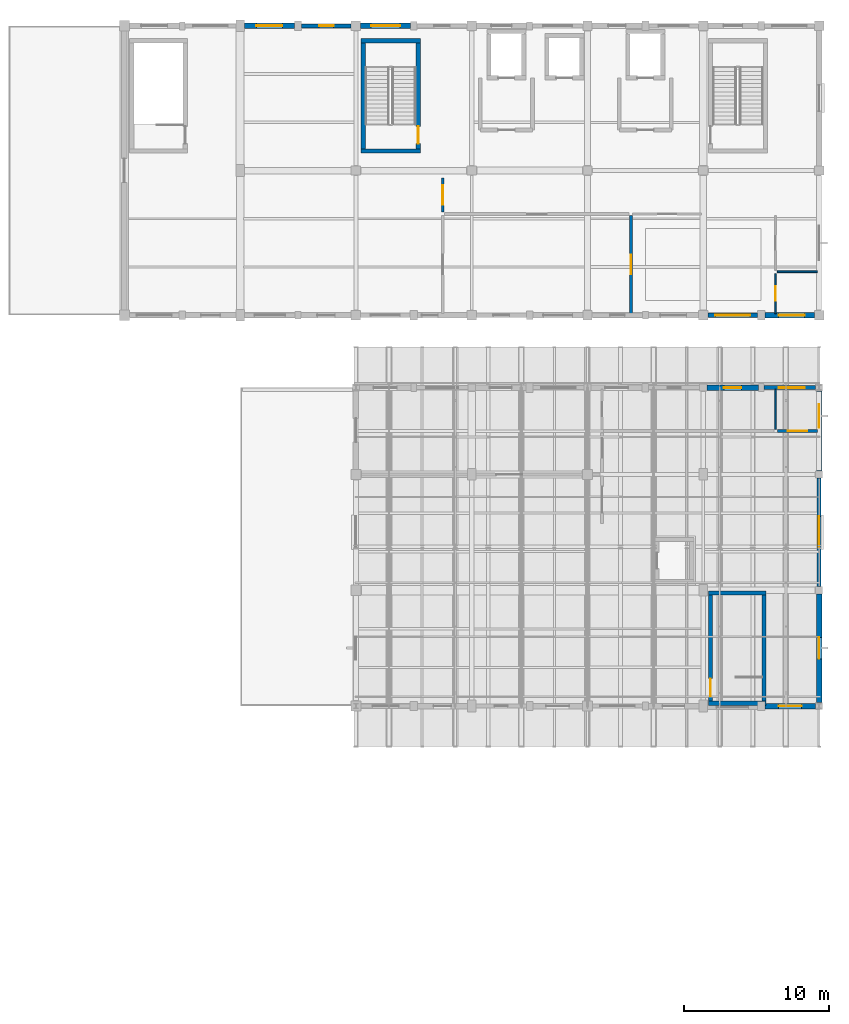
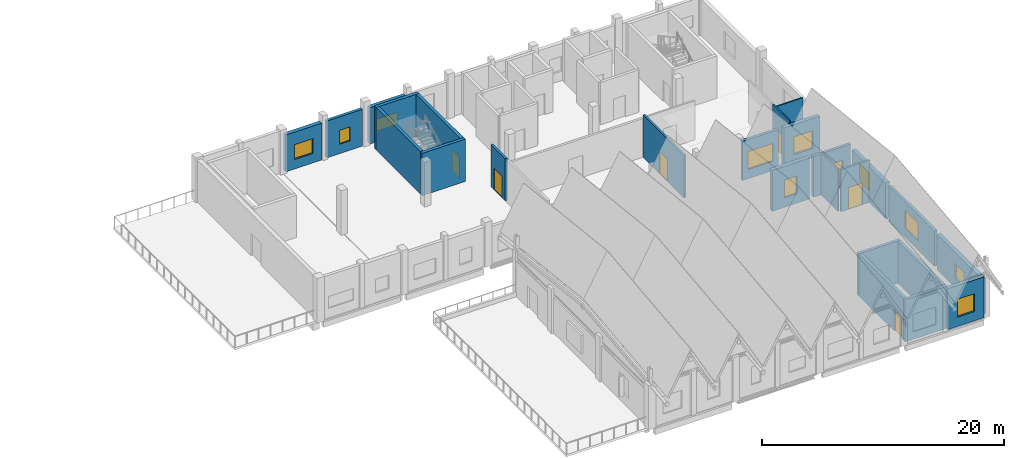
# One storey, part 34 of 48: 25 walls, 11 windows, 6 doors, 17 openings.
"""IFC4 building model written with IfcOpenShell, lengths in metres."""

import ifcopenshell
import ifcopenshell.guid

model = None  # the IFC model being written
_history = None  # IfcOwnerHistory: only IFC2X3 demands one
_inside = {}  # id of a spatial element -> (the spatial element, [elements in it])
_under = {}  # id of a project, library or spatial element -> (it, [spatial elements below it])
_declared = {}  # id of a project -> (the project, [libraries it declares])
_typed = {}  # id of a type object -> (the type object, [elements of that type])
_made_of = {}  # id of a material, layer set ... -> (it, [elements and type objects made of it])


def new_model(schema):
    """Start an empty IFC model of exactly this schema.

    Asked for "IFC4X3", IfcOpenShell would pick the latest addendum, in which some entities
    have other attributes; the version numbers below select the first issue.
    IFC2X3 requires an IfcOwnerHistory on every rooted entity: one is made here for all.
    """
    global model, _history
    if schema == "IFC4X3":
        model = ifcopenshell.file(schema_version=(4, 3, 0, 0))
    else:
        model = ifcopenshell.file(schema=schema)
    _inside.clear()
    _under.clear()
    _declared.clear()
    _typed.clear()
    _made_of.clear()
    _history = None
    if model.schema == "IFC2X3":
        org = make("IfcOrganization", Name="unknown")
        user = make(
            "IfcPersonAndOrganization",
            ThePerson=make("IfcPerson", FamilyName="unknown"),
            TheOrganization=org,
        )
        app = make(
            "IfcApplication",
            ApplicationDeveloper=org,
            Version="unknown",
            ApplicationFullName="unknown",
            ApplicationIdentifier="unknown",
        )
        _history = make(
            "IfcOwnerHistory",
            OwningUser=user,
            OwningApplication=app,
            ChangeAction="ADDED",
            CreationDate=0,
        )
    return model


def make(cls, **values):
    """One entity of the class cls with the attributes given. An attribute that is None is left unset."""
    return model.create_entity(
        cls, **{name: value for name, value in values.items() if value is not None}
    )


def rooted(cls, **values):
    """An entity with a GlobalId (a new one), such as an element, a storey or a relation."""
    return make(cls, GlobalId=ifcopenshell.guid.new(), OwnerHistory=_history, **values)


def si_unit(unit_type, name, prefix=None):
    """IfcSIUnit, for example si_unit("LENGTHUNIT", "METRE", prefix="MILLI")."""
    return make("IfcSIUnit", UnitType=unit_type, Prefix=prefix, Name=name)


def assignment(units):
    """IfcUnitAssignment: the units of a project."""
    return None if units is None else make("IfcUnitAssignment", Units=units)


def point(xyz):
    """IfcCartesianPoint."""
    return None if xyz is None else make("IfcCartesianPoint", Coordinates=xyz)


def direction(xyz):
    """IfcDirection."""
    return None if xyz is None else make("IfcDirection", DirectionRatios=xyz)


def frame(location, z_axis=None, x_axis=None):
    """IfcAxis2Placement3D, a coordinate frame: its origin and axes. An axis left out is left unset."""
    return make(
        "IfcAxis2Placement3D",
        Location=point(location),
        Axis=direction(z_axis),
        RefDirection=direction(x_axis),
    )


def frame_2d(location, x_axis=None):
    """IfcAxis2Placement2D, a coordinate frame in the plane: its origin and x axis."""
    return make(
        "IfcAxis2Placement2D", Location=point(location), RefDirection=direction(x_axis)
    )


def origin():
    """The frame at (0, 0, 0) with its axes left unset."""
    return frame((0.0, 0.0, 0.0))


def place(relative_to, where):
    """IfcLocalPlacement: puts the frame where relative to a parent placement (None: the world)."""
    return make(
        "IfcLocalPlacement", PlacementRelTo=relative_to, RelativePlacement=where
    )


def context(
    kind, dimensions, precision=None, world=None, true_north=None, identifier=None
):
    """IfcGeometricRepresentationContext, for example the 3D "Model" context."""
    return make(
        "IfcGeometricRepresentationContext",
        ContextIdentifier=identifier,
        ContextType=kind,
        CoordinateSpaceDimension=dimensions,
        Precision=precision,
        WorldCoordinateSystem=world,
        TrueNorth=true_north,
    )


def subcontext(parent, identifier, kind, view, scale=None):
    """IfcGeometricRepresentationSubContext, for example "Body" below "Model"."""
    return make(
        "IfcGeometricRepresentationSubContext",
        ContextIdentifier=identifier,
        ContextType=kind,
        ParentContext=parent,
        TargetScale=scale,
        TargetView=view,
    )


def project(units=None, contexts=None):
    """IfcProject with its units and contexts."""
    return rooted(
        "IfcProject",
        Name="project",
        RepresentationContexts=contexts,
        UnitsInContext=assignment(units),
    )


def spatial(cls, under=None, at=None, **own):
    """A site, building, storey or space (cls), placed at a placement, below another one or the project."""
    s = rooted(cls, ObjectPlacement=at, **own)
    if under is not None:
        _under.setdefault(under.id(), (under, []))[1].append(s)
    return s


def profile(cls, at=None, kind="AREA", **sizes):
    """A parametric profile (cls). Its sizes go by their IFC names, for example OverallWidth=200.0."""
    return make(cls, ProfileType=kind, Position=at, **sizes)


def rectangle(**sizes):
    """IfcRectangleProfileDef."""
    return profile("IfcRectangleProfileDef", **sizes)


def extrude(swept, where, along, depth):
    """IfcExtrudedAreaSolid: the profile swept, set in the frame where, extruded along a direction by depth."""
    return make(
        "IfcExtrudedAreaSolid",
        SweptArea=swept,
        Position=where,
        ExtrudedDirection=direction(along),
        Depth=depth,
    )


def shape(context_of_items, identifier, shape_type, items):
    """IfcShapeRepresentation: the items that make up one representation, for example the "Body"."""
    return make(
        "IfcShapeRepresentation",
        ContextOfItems=context_of_items,
        RepresentationIdentifier=identifier,
        RepresentationType=shape_type,
        Items=items,
    )


def material(Name=None, Category=None):
    """IfcMaterial."""
    return make("IfcMaterial", Name=Name, Category=Category)


def layer(
    of_material, thickness, ventilated=None, Name=None, Category=None, Priority=None
):
    """IfcMaterialLayer: one layer of a wall or slab, of a material (None: an air gap)."""
    return make(
        "IfcMaterialLayer",
        Material=of_material,
        LayerThickness=thickness,
        IsVentilated=ventilated,
        Name=Name,
        Category=Category,
        Priority=Priority,
    )


def layer_set(layers, Name=None):
    """IfcMaterialLayerSet."""
    return make("IfcMaterialLayerSet", MaterialLayers=layers, LayerSetName=Name)


def made_of(thing, what):
    """Note that an element or type object is made of a material, layer set ...; save() writes the relation."""
    if what is not None:
        _made_of.setdefault(what.id(), (what, []))[1].append(thing)
    return thing


def type_object(cls, material=None, **own):
    """A type object (cls), such as IfcWallType, which elements share."""
    return made_of(rooted(cls, **own), material)


def element(
    cls,
    number,
    at=None,
    inside=None,
    cuts=None,
    type_object=None,
    material=None,
    context=None,
    identifier="Body",
    shape_type=None,
    held_by="IfcProductDefinitionShape",
    body=None,
    shapes=None,
    **own,
):
    """One element of the class cls, such as IfcWall. Its Tag is "e" and its number.

    at: its placement. inside: the storey or other place that contains it. cuts: it is an
    opening in that element (IfcRelVoidsElement). A single representation is given by context,
    identifier, shape_type and body (its items); several are given by shapes. held_by: the class
    of the entity that holds the representations. save() writes the other relations.
    """
    e = rooted(cls, Tag="e%d" % number, ObjectPlacement=at, **own)
    if body is not None:
        shapes = [shape(context, identifier, shape_type, body)]
    if shapes is not None:
        e.Representation = make(held_by, Representations=shapes)
    if inside is not None:
        _inside.setdefault(inside.id(), (inside, []))[1].append(e)
    if cuts is not None:
        rooted(
            "IfcRelVoidsElement", RelatingBuildingElement=cuts, RelatedOpeningElement=e
        )
    if type_object is not None:
        _typed.setdefault(type_object.id(), (type_object, []))[1].append(e)
    return made_of(e, material)


def fill(opening, filler):
    """IfcRelFillsElement: the door or window that sits in an opening."""
    return rooted(
        "IfcRelFillsElement",
        RelatingOpeningElement=opening,
        RelatedBuildingElement=filler,
    )


def aggregate(whole, parts):
    """IfcRelAggregates: a whole, such as a stair, and the parts it consists of."""
    return rooted("IfcRelAggregates", RelatingObject=whole, RelatedObjects=parts)


def save(model, path):
    """Write the relations noted so far, then the file.

    IfcRelAggregates (storeys below a building ...), IfcRelContainedInSpatialStructure (elements
    in a storey), IfcRelDefinesByType, IfcRelAssociatesMaterial and IfcRelDeclares: one each for
    every whole, place, type object, material and project.
    """
    for whole, parts in _under.values():
        aggregate(whole, parts)
    for where, things in _inside.values():
        rooted(
            "IfcRelContainedInSpatialStructure",
            RelatedElements=things,
            RelatingStructure=where,
        )
    for kind, things in _typed.values():
        rooted("IfcRelDefinesByType", RelatedObjects=things, RelatingType=kind)
    for what, things in _made_of.values():
        rooted("IfcRelAssociatesMaterial", RelatedObjects=things, RelatingMaterial=what)
    for by, libraries in _declared.values():
        rooted("IfcRelDeclares", RelatingContext=by, RelatedDefinitions=libraries)
    model.write(path)


model = new_model("IFC4")

# Units and contexts
model_context = context("Model", 3, precision=1e-05, world=origin(), true_north=direction((0.0, 1.0)))
body_context = subcontext(model_context, "Body", "Model", "MODEL_VIEW")
ifc_project = project(units=[si_unit("LENGTHUNIT", "METRE"), si_unit("AREAUNIT", "SQUARE_METRE"), si_unit("VOLUMEUNIT", "CUBIC_METRE"), si_unit("PLANEANGLEUNIT", "RADIAN"), si_unit("MASSUNIT", "GRAM", prefix="KILO")], contexts=[model_context])

# Site, building, storey
site_placement = place(None, origin())
site = spatial("IfcSite", under=ifc_project, at=site_placement, CompositionType="ELEMENT")
building_placement = place(site_placement, origin())
building = spatial("IfcBuilding", under=site, at=building_placement, Name="Luwemba Playhouse", CompositionType="ELEMENT")
storey_placement = place(building_placement, frame((0.0, 0.0, 13.800048828125)))
storey = spatial("IfcBuildingStorey", under=building, at=storey_placement, Name="L03", CompositionType="ELEMENT", Elevation=13.800048828125)

# Wall, opening, window
ifc_material_1 = material(Name="Clay facing brick obra vista masonry", Category="masonry")
ifc_layer_1 = layer(ifc_material_1, 0.3798828125)
ifc_layer_set_1 = layer_set([ifc_layer_1], Name="Clay facing brick obra vista masonry")
wall_type_1 = type_object("IfcWallType", Name="WAL-BRK-380", PredefinedType="SOLIDWALL", material=ifc_layer_set_1)
wall_1_placement = place(storey_placement, frame((164.25, 90.0, 0.0), z_axis=(0.0, 0.0, 1.0), x_axis=(1.0, 0.0, 0.0)))
wall_1 = element("IfcWall", 1, at=wall_1_placement, inside=storey, type_object=wall_type_1, Name="L03 V4 exterior facade wall 0436", PredefinedType="SOLIDWALL", context=body_context, shape_type="SweptSolid", body=[
    extrude(rectangle(XDim=3.550048828125, YDim=0.3798828125, at=frame_2d((1.77490234375, 0.0))), origin(), (0.0, 0.0, 1.0), 4.125),
])
opening_1_placement = place(wall_1_placement, frame((1.175048828125, 0.0, 0.949951171875)))
opening_1 = element("IfcOpeningElement", 2, at=opening_1_placement, cuts=wall_1, Name="Opening WN-01", PredefinedType="OPENING", context=body_context, shape_type="SweptSolid", body=[
    extrude(rectangle(XDim=1.199951171875, YDim=1.800048828125, at=frame_2d((0.60009765625, 0.89990234375))), frame((0.0, 0.199951171875, 0.0), z_axis=(0.0, -1.0, 0.0), x_axis=(1.0, 0.0, 0.0)), (0.0, 0.0, 1.0), 0.39990234375),
])
ifc_material_2 = material(Name="Solar-control double glazing in aluminium frame", Category="aluminium")
window_type_1 = type_object("IfcWindowType", Name="WIN-WN-01", PartitioningType="SINGLE_PANEL", PredefinedType="WINDOW", material=ifc_material_2)
window_1_placement = place(opening_1_placement, origin())
window_1 = element("IfcWindow", 3, at=window_1_placement, inside=storey, type_object=window_type_1, Name="L03 V4 scheduled window 0377", OverallHeight=1.800048828125, OverallWidth=1.199951171875, PartitioningType="SINGLE_PANEL", PredefinedType="WINDOW", context=body_context, shape_type="SweptSolid", body=[
    extrude(rectangle(XDim=1.199951171875, YDim=1.800048828125, at=frame_2d((0.60009765625, 0.89990234375))), frame((0.0, 0.030029296875, 0.0), z_axis=(0.0, -1.0, 0.0), x_axis=(1.0, 0.0, 0.0)), (0.0, 0.0, 1.0), 0.06005859375),
])
fill(opening_1, window_1)

wall_2_placement = place(storey_placement, frame((172.0, 89.75, 0.0), z_axis=(0.0, 0.0, 1.0), x_axis=(0.0, -1.0, 0.0)))
wall_2 = element("IfcWall", 4, at=wall_2_placement, inside=storey, type_object=wall_type_1, Name="L03 V4 exterior facade wall 0438", PredefinedType="SOLIDWALL", context=body_context, shape_type="SweptSolid", body=[
    extrude(rectangle(XDim=5.5, YDim=0.3798828125, at=frame_2d((2.75, 0.0))), origin(), (0.0, 0.0, 1.0), 3.5849609375),
])
opening_2_placement = place(wall_2_placement, frame((0.909912109375, 0.0, 0.949951171875)))
opening_2 = element("IfcOpeningElement", 5, at=opening_2_placement, cuts=wall_2, Name="Opening WN-03", PredefinedType="OPENING", context=body_context, shape_type="SweptSolid", body=[
    extrude(rectangle(XDim=1.60009765625, YDim=1.800048828125, at=frame_2d((0.800048828125, 0.89990234375))), frame((0.0, 0.199951171875, 0.0), z_axis=(0.0, -1.0, 0.0), x_axis=(1.0, 0.0, 0.0)), (0.0, 0.0, 1.0), 0.39990234375),
])
window_type_2 = type_object("IfcWindowType", Name="WIN-WN-03", PartitioningType="DOUBLE_PANEL_VERTICAL", PredefinedType="WINDOW", material=ifc_material_2)
window_2_placement = place(opening_2_placement, origin())
window_2 = element("IfcWindow", 6, at=window_2_placement, inside=storey, type_object=window_type_2, Name="L03 V4 scheduled window 0379", OverallHeight=1.800048828125, OverallWidth=1.60009765625, PartitioningType="DOUBLE_PANEL_VERTICAL", PredefinedType="WINDOW", context=body_context, shape_type="SweptSolid", body=[
    extrude(rectangle(XDim=1.60009765625, YDim=1.800048828125, at=frame_2d((0.800048828125, 0.89990234375))), frame((0.0, 0.030029296875, 0.0), z_axis=(0.0, -1.0, 0.0), x_axis=(1.0, 0.0, 0.0)), (0.0, 0.0, 1.0), 0.06005859375),
])
fill(opening_2, window_2)

wall_3_placement = place(storey_placement, frame((172.0, 75.75, 0.0), z_axis=(0.0, 0.0, 1.0), x_axis=(0.0, -1.0, 0.0)))
wall_3 = element("IfcWall", 7, at=wall_3_placement, inside=storey, type_object=wall_type_1, Name="L03 V4 exterior facade wall 0440", PredefinedType="SOLIDWALL", context=body_context, shape_type="SweptSolid", body=[
    extrude(rectangle(XDim=7.5, YDim=0.3798828125, at=frame_2d((3.75, 0.0))), origin(), (0.0, 0.0, 1.0), 3.5849609375),
])
opening_3_placement = place(wall_3_placement, frame((3.0, 0.0, 0.949951171875)))
opening_3 = element("IfcOpeningElement", 8, at=opening_3_placement, cuts=wall_3, Name="Opening WN-09", PredefinedType="OPENING", context=body_context, shape_type="SweptSolid", body=[
    extrude(rectangle(XDim=1.5, YDim=1.5, at=frame_2d((0.75, 0.75))), frame((0.0, 0.199951171875, 0.0), z_axis=(0.0, -1.0, 0.0), x_axis=(1.0, 0.0, 0.0)), (0.0, 0.0, 1.0), 0.39990234375),
])
window_type_3 = type_object("IfcWindowType", Name="WIN-WN-09", PartitioningType="DOUBLE_PANEL_VERTICAL", PredefinedType="WINDOW", material=ifc_material_2)
window_3_placement = place(opening_3_placement, origin())
window_3 = element("IfcWindow", 9, at=window_3_placement, inside=storey, type_object=window_type_3, Name="L03 V4 scheduled window 0381", OverallHeight=1.5, OverallWidth=1.5, PartitioningType="DOUBLE_PANEL_VERTICAL", PredefinedType="WINDOW", context=body_context, shape_type="SweptSolid", body=[
    extrude(rectangle(XDim=1.5, YDim=1.5, at=frame_2d((0.75, 0.75))), frame((0.0, 0.030029296875, 0.0), z_axis=(0.0, -1.0, 0.0), x_axis=(1.0, 0.0, 0.0)), (0.0, 0.0, 1.0), 0.06005859375),
])
fill(opening_3, window_3)

wall_4_placement = place(storey_placement, frame((171.75, 68.0, 0.0), z_axis=(0.0, 0.0, 1.0), x_axis=(-1.0, 0.0, 0.0)))
wall_4 = element("IfcWall", 10, at=wall_4_placement, inside=storey, type_object=wall_type_1, Name="L03 V4 exterior facade wall 0441", PredefinedType="SOLIDWALL", context=body_context, shape_type="SweptSolid", body=[
    extrude(rectangle(XDim=3.5, YDim=0.3798828125, at=frame_2d((1.75, 0.0))), origin(), (0.0, 0.0, 1.0), 4.125),
])
opening_4_placement = place(wall_4_placement, frame((0.949951171875, 0.0, 0.949951171875)))
opening_4 = element("IfcOpeningElement", 11, at=opening_4_placement, cuts=wall_4, Name="Opening WN-03", PredefinedType="OPENING", context=body_context, shape_type="SweptSolid", body=[
    extrude(rectangle(XDim=1.60009765625, YDim=1.800048828125, at=frame_2d((0.800048828125, 0.89990234375))), frame((0.0, 0.199951171875, 0.0), z_axis=(0.0, -1.0, 0.0), x_axis=(1.0, 0.0, 0.0)), (0.0, 0.0, 1.0), 0.39990234375),
])
window_4_placement = place(opening_4_placement, origin())
window_4 = element("IfcWindow", 12, at=window_4_placement, inside=storey, type_object=window_type_2, Name="L03 V4 scheduled window 0382", OverallHeight=1.800048828125, OverallWidth=1.60009765625, PartitioningType="DOUBLE_PANEL_VERTICAL", PredefinedType="WINDOW", context=body_context, shape_type="SweptSolid", body=[
    extrude(rectangle(XDim=1.60009765625, YDim=1.800048828125, at=frame_2d((0.800048828125, 0.89990234375))), frame((0.0, 0.030029296875, 0.0), z_axis=(0.0, -1.0, 0.0), x_axis=(1.0, 0.0, 0.0)), (0.0, 0.0, 1.0), 0.06005859375),
])
fill(opening_4, window_4)

wall_5_placement = place(storey_placement, frame((132.300048828125, 115.0, 0.0), z_axis=(0.0, 0.0, 1.0), x_axis=(1.0, 0.0, 0.0)))
wall_5 = element("IfcWall", 13, at=wall_5_placement, inside=storey, type_object=wall_type_1, Name="L03 V6E exterior facade wall 0452", PredefinedType="SOLIDWALL", context=body_context, shape_type="SweptSolid", body=[
    extrude(rectangle(XDim=3.449951171875, YDim=0.3798828125, at=frame_2d((1.72509765625, 0.0))), origin(), (0.0, 0.0, 1.0), 3.704833984375),
])
opening_5_placement = place(wall_5_placement, frame((0.824951171875, 0.0, 0.949951171875)))
opening_5 = element("IfcOpeningElement", 14, at=opening_5_placement, cuts=wall_5, Name="Opening WN-10", PredefinedType="OPENING", context=body_context, shape_type="SweptSolid", body=[
    extrude(rectangle(XDim=1.800048828125, YDim=1.5, at=frame_2d((0.89990234375, 0.75))), frame((0.0, 0.199951171875, 0.0), z_axis=(0.0, -1.0, 0.0), x_axis=(1.0, 0.0, 0.0)), (0.0, 0.0, 1.0), 0.39990234375),
])
window_type_4 = type_object("IfcWindowType", Name="WIN-WN-10", PartitioningType="DOUBLE_PANEL_VERTICAL", PredefinedType="WINDOW", material=ifc_material_2)
window_5_placement = place(opening_5_placement, origin())
window_5 = element("IfcWindow", 15, at=window_5_placement, inside=storey, type_object=window_type_4, Name="L03 V6E scheduled window 0392", OverallHeight=1.5, OverallWidth=1.800048828125, PartitioningType="DOUBLE_PANEL_VERTICAL", PredefinedType="WINDOW", context=body_context, shape_type="SweptSolid", body=[
    extrude(rectangle(XDim=1.800048828125, YDim=1.5, at=frame_2d((0.89990234375, 0.75))), frame((0.0, 0.030029296875, 0.0), z_axis=(0.0, -1.0, 0.0), x_axis=(1.0, 0.0, 0.0)), (0.0, 0.0, 1.0), 0.06005859375),
])
fill(opening_5, window_5)

wall_6_placement = place(storey_placement, frame((140.324951171875, 115.0, 0.0), z_axis=(0.0, 0.0, 1.0), x_axis=(1.0, 0.0, 0.0)))
wall_6 = element("IfcWall", 16, at=wall_6_placement, inside=storey, type_object=wall_type_1, Name="L03 V6E exterior facade wall 0454", PredefinedType="SOLIDWALL", context=body_context, shape_type="SweptSolid", body=[
    extrude(rectangle(XDim=3.449951171875, YDim=0.3798828125, at=frame_2d((1.72509765625, 0.0))), origin(), (0.0, 0.0, 1.0), 3.655029296875),
])
opening_6_placement = place(wall_6_placement, frame((0.72509765625, 0.0, 0.949951171875)))
opening_6 = element("IfcOpeningElement", 17, at=opening_6_placement, cuts=wall_6, Name="Opening WN-16", PredefinedType="OPENING", context=body_context, shape_type="SweptSolid", body=[
    extrude(rectangle(XDim=2.0, YDim=1.199951171875, at=frame_2d((1.0, 0.60009765625))), frame((0.0, 0.199951171875, 0.0), z_axis=(0.0, -1.0, 0.0), x_axis=(1.0, 0.0, 0.0)), (0.0, 0.0, 1.0), 0.39990234375),
])
window_type_5 = type_object("IfcWindowType", Name="WIN-WN-16", PartitioningType="DOUBLE_PANEL_HORIZONTAL", PredefinedType="WINDOW", material=ifc_material_2)
window_6_placement = place(opening_6_placement, origin())
window_6 = element("IfcWindow", 18, at=window_6_placement, inside=storey, type_object=window_type_5, Name="L03 V6E scheduled window 0394", OverallHeight=1.199951171875, OverallWidth=2.0, PartitioningType="DOUBLE_PANEL_HORIZONTAL", PredefinedType="WINDOW", context=body_context, shape_type="SweptSolid", body=[
    extrude(rectangle(XDim=2.0, YDim=1.199951171875, at=frame_2d((1.0, 0.60009765625))), frame((0.0, 0.030029296875, 0.0), z_axis=(0.0, -1.0, 0.0), x_axis=(1.0, 0.0, 0.0)), (0.0, 0.0, 1.0), 0.06005859375),
])
fill(opening_6, window_6)

wall_7_placement = place(storey_placement, frame((171.675048828125, 95.0, 0.0), z_axis=(0.0, 0.0, 1.0), x_axis=(-1.0, 0.0, 0.0)))
wall_7 = element("IfcWall", 19, at=wall_7_placement, inside=storey, type_object=wall_type_1, Name="L03 V6E exterior facade wall 0464", PredefinedType="SOLIDWALL", context=body_context, shape_type="SweptSolid", body=[
    extrude(rectangle(XDim=3.425048828125, YDim=0.3798828125, at=frame_2d((1.71240234375, 0.0))), origin(), (0.0, 0.0, 1.0), 3.954833984375),
])
opening_7_placement = place(wall_7_placement, frame((0.6650390625, 0.0, 0.949951171875)))
opening_7 = element("IfcOpeningElement", 20, at=opening_7_placement, cuts=wall_7, Name="Opening WN-04", PredefinedType="OPENING", context=body_context, shape_type="SweptSolid", body=[
    extrude(rectangle(XDim=1.800048828125, YDim=1.800048828125, at=frame_2d((0.89990234375, 0.89990234375))), frame((0.0, 0.199951171875, 0.0), z_axis=(0.0, -1.0, 0.0), x_axis=(1.0, 0.0, 0.0)), (0.0, 0.0, 1.0), 0.39990234375),
])
window_type_6 = type_object("IfcWindowType", Name="WIN-WN-04", PartitioningType="DOUBLE_PANEL_VERTICAL", PredefinedType="WINDOW", material=ifc_material_2)
window_7_placement = place(opening_7_placement, origin())
window_7 = element("IfcWindow", 21, at=window_7_placement, inside=storey, type_object=window_type_6, Name="L03 V6E scheduled window 0404", OverallHeight=1.800048828125, OverallWidth=1.800048828125, PartitioningType="DOUBLE_PANEL_VERTICAL", PredefinedType="WINDOW", context=body_context, shape_type="SweptSolid", body=[
    extrude(rectangle(XDim=1.800048828125, YDim=1.800048828125, at=frame_2d((0.89990234375, 0.89990234375))), frame((0.0, 0.030029296875, 0.0), z_axis=(0.0, -1.0, 0.0), x_axis=(1.0, 0.0, 0.0)), (0.0, 0.0, 1.0), 0.06005859375),
])
fill(opening_7, window_7)

# Walls
ifc_material_3 = material(Name="Concrete C40/50", Category="concrete")
ifc_layer_2 = layer(ifc_material_3, 0.300048828125)
ifc_layer_set_2 = layer_set([ifc_layer_2], Name="Concrete C40/50")
wall_type_2 = type_object("IfcWallType", Name="WAL-CORE-300", PredefinedType="SHEAR", material=ifc_layer_set_2)
for number, where, z_axis, x_axis, name in (
    (22, (164.35009765625, 68.18994140625, 0.0), (0.0, 0.0, 1.0), (1.0, 0.0, 0.0), "L03 ST-07 stair core wall S"),
    (23, (168.35009765625, 75.81005859375, 0.0), (0.0, 0.0, 1.0), (-1.0, 0.0, 0.0), "L03 ST-07 stair core wall N"),
):
    element("IfcWall", number, at=place(storey_placement, frame(where, z_axis=z_axis, x_axis=x_axis)), inside=storey, type_object=wall_type_2, Name=name, PredefinedType="SHEAR", context=body_context, shape_type="SweptSolid", body=[
        extrude(rectangle(XDim=4.0, YDim=0.300048828125, at=frame_2d((2.0, 0.0))), origin(), (0.0, 0.0, 1.0), 4.25),
    ])

# Wall, opening, door
wall_8_placement = place(storey_placement, frame((164.5, 75.659912109375, 0.0), z_axis=(0.0, 0.0, 1.0), x_axis=(0.0, -1.0, 0.0)))
wall_8 = element("IfcWall", 24, at=wall_8_placement, inside=storey, type_object=wall_type_2, Name="L03 ST-07 stair core wall W", PredefinedType="SHEAR", context=body_context, shape_type="SweptSolid", body=[
    extrude(rectangle(XDim=7.31982421875, YDim=0.300048828125, at=frame_2d((3.659912109375, 0.0))), origin(), (0.0, 0.0, 1.0), 4.25),
])
opening_8_placement = place(wall_8_placement, frame((5.77001953125, 0.0, 0.0)))
opening_8 = element("IfcOpeningElement", 25, at=opening_8_placement, cuts=wall_8, Name="Opening D-STAIR3", PredefinedType="OPENING", context=body_context, shape_type="SweptSolid", body=[
    extrude(rectangle(XDim=1.199951171875, YDim=2.14990234375, at=frame_2d((0.60009765625, 1.074951171875))), frame((0.0, 0.159912109375, 0.0), z_axis=(0.0, -1.0, 0.0), x_axis=(1.0, 0.0, 0.0)), (0.0, 0.0, 1.0), 0.320068359375),
])
ifc_material_4 = material(Name="Hardwood acoustic fire door leaf", Category="wood")
door_type_1 = type_object("IfcDoorType", Name="DR-STAIR-120", OperationType="NOTDEFINED", PredefinedType="DOOR", material=ifc_material_4)
door_1_placement = place(opening_8_placement, origin())
door_1 = element("IfcDoor", 26, at=door_1_placement, inside=storey, type_object=door_type_1, Name="L03 ST-07 protected stair entry door", OperationType="SINGLE_SWING_RIGHT", OverallHeight=2.14990234375, OverallWidth=1.199951171875, PredefinedType="DOOR", context=body_context, shape_type="SweptSolid", body=[
    extrude(rectangle(XDim=1.199951171875, YDim=2.14990234375, at=frame_2d((0.60009765625, 1.074951171875))), frame((0.0, 0.02490234375, 0.0), z_axis=(0.0, -1.0, 0.0), x_axis=(1.0, 0.0, 0.0)), (0.0, 0.0, 1.0), 0.050048828125),
])
fill(opening_8, door_1)

# Walls
wall_9_placement = place(storey_placement, frame((168.199951171875, 75.659912109375, 0.0), z_axis=(0.0, 0.0, 1.0), x_axis=(0.0, -1.0, 0.0)))
element("IfcWall", 27, at=wall_9_placement, inside=storey, type_object=wall_type_2, Name="L03 ST-07 stair core wall E", PredefinedType="SHEAR", context=body_context, shape_type="SweptSolid", body=[
    extrude(rectangle(XDim=7.31982421875, YDim=0.300048828125, at=frame_2d((3.659912109375, 0.0))), origin(), (0.0, 0.0, 1.0), 4.25),
])
for number, where, z_axis, x_axis, name in (
    (28, (140.35009765625, 106.35009765625, 0.0), (0.0, 0.0, 1.0), (1.0, 0.0, 0.0), "L03 ST-09 stair core wall S"),
    (29, (144.449951171875, 113.969970703125, 0.0), (0.0, 0.0, 1.0), (-1.0, 0.0, 0.0), "L03 ST-09 stair core wall N"),
):
    element("IfcWall", number, at=place(storey_placement, frame(where, z_axis=z_axis, x_axis=x_axis)), inside=storey, type_object=wall_type_2, Name=name, PredefinedType="SHEAR", context=body_context, shape_type="SweptSolid", body=[
        extrude(rectangle(XDim=4.099853515625, YDim=0.300048828125, at=frame_2d((2.0498046875, 0.0))), origin(), (0.0, 0.0, 1.0), 4.27001953125),
    ])
wall_10_placement = place(storey_placement, frame((140.5, 106.5, 0.0), z_axis=(0.0, 0.0, 1.0), x_axis=(0.0, 1.0, 0.0)))
element("IfcWall", 30, at=wall_10_placement, inside=storey, type_object=wall_type_2, Name="L03 ST-09 stair core wall W", PredefinedType="SHEAR", context=body_context, shape_type="SweptSolid", body=[
    extrude(rectangle(XDim=7.320068359375, YDim=0.300048828125, at=frame_2d((3.66015625, 0.0))), origin(), (0.0, 0.0, 1.0), 4.27001953125),
])

# Wall, opening, door
wall_11_placement = place(storey_placement, frame((144.300048828125, 106.5, 0.0), z_axis=(0.0, 0.0, 1.0), x_axis=(0.0, 1.0, 0.0)))
wall_11 = element("IfcWall", 31, at=wall_11_placement, inside=storey, type_object=wall_type_2, Name="L03 ST-09 stair core wall E", PredefinedType="SHEAR", context=body_context, shape_type="SweptSolid", body=[
    extrude(rectangle(XDim=7.320068359375, YDim=0.300048828125, at=frame_2d((3.66015625, 0.0))), origin(), (0.0, 0.0, 1.0), 4.27001953125),
])
opening_9_placement = place(wall_11_placement, frame((0.35009765625, 0.0, 0.0)))
opening_9 = element("IfcOpeningElement", 32, at=opening_9_placement, cuts=wall_11, Name="Opening D-STAIR3", PredefinedType="OPENING", context=body_context, shape_type="SweptSolid", body=[
    extrude(rectangle(XDim=1.199951171875, YDim=2.14990234375, at=frame_2d((0.60009765625, 1.074951171875))), frame((0.0, 0.159912109375, 0.0), z_axis=(0.0, -1.0, 0.0), x_axis=(1.0, 0.0, 0.0)), (0.0, 0.0, 1.0), 0.320068359375),
])
door_2_placement = place(opening_9_placement, origin())
door_2 = element("IfcDoor", 33, at=door_2_placement, inside=storey, type_object=door_type_1, Name="L03 ST-09 protected stair entry door", OperationType="SINGLE_SWING_RIGHT", OverallHeight=2.14990234375, OverallWidth=1.199951171875, PredefinedType="DOOR", context=body_context, shape_type="SweptSolid", body=[
    extrude(rectangle(XDim=1.199951171875, YDim=2.14990234375, at=frame_2d((0.60009765625, 1.074951171875))), frame((0.0, 0.02490234375, 0.0), z_axis=(0.0, -1.0, 0.0), x_axis=(1.0, 0.0, 0.0)), (0.0, 0.0, 1.0), 0.050048828125),
])
fill(opening_9, door_2)

# Wall
ifc_material_5 = material(Name="Moisture-resistant sanitary partition", Category="gypsum")
ifc_layer_3 = layer(ifc_material_5, 0.1201171875)
ifc_layer_set_3 = layer_set([ifc_layer_3], Name="Moisture-resistant sanitary partition")
wall_type_3 = type_object("IfcWallType", Name="WAL-INT-120", PredefinedType="PARTITIONING", material=ifc_layer_set_3)
wall_12_placement = place(storey_placement, frame((169.0, 87.1201171875, 0.0), z_axis=(0.0, 0.0, 1.0), x_axis=(0.0, 1.0, 0.0)))
element("IfcWall", 34, at=wall_12_placement, inside=storey, type_object=wall_type_3, Name="L03 V4 interior partition 0207", PredefinedType="PARTITIONING", context=body_context, shape_type="SweptSolid", body=[
    extrude(rectangle(XDim=2.759765625, YDim=0.1201171875, at=frame_2d((1.3798828125, 0.0))), origin(), (0.0, 0.0, 1.0), 4.25),
])

# Wall, opening, door
wall_13_placement = place(storey_placement, frame((169.0, 95.1201171875, 0.0), z_axis=(0.0, 0.0, 1.0), x_axis=(0.0, 1.0, 0.0)))
wall_13 = element("IfcWall", 35, at=wall_13_placement, inside=storey, type_object=wall_type_3, Name="L03 V6E interior partition 0213", PredefinedType="PARTITIONING", context=body_context, shape_type="SweptSolid", body=[
    extrude(rectangle(XDim=2.759765625, YDim=0.1201171875, at=frame_2d((1.3798828125, 0.0))), origin(), (0.0, 0.0, 1.0), 4.27001953125),
])
opening_10_placement = place(wall_13_placement, frame((0.8798828125, 0.0, 0.0)))
opening_10 = element("IfcOpeningElement", 36, at=opening_10_placement, cuts=wall_13, Name="Opening D-AWC", PredefinedType="OPENING", context=body_context, shape_type="SweptSolid", body=[
    extrude(rectangle(XDim=1.0, YDim=2.10009765625, at=frame_2d((0.5, 1.050048828125))), frame((0.0, 0.070068359375, 0.0), z_axis=(0.0, -1.0, 0.0), x_axis=(1.0, 0.0, 0.0)), (0.0, 0.0, 1.0), 0.14013671875),
])
ifc_material_6 = material(Name="Accessible WC outward-assisted timber door", Category="wood")
door_type_2 = type_object("IfcDoorType", Name="DR-AWC-100", OperationType="NOTDEFINED", PredefinedType="DOOR", material=ifc_material_6)
door_3_placement = place(opening_10_placement, origin())
door_3 = element("IfcDoor", 37, at=door_3_placement, inside=storey, type_object=door_type_2, Name="L03 Dramaturgy Seminar Room to Conservatory Level 3 Accessible WC door", OperationType="SINGLE_SWING_LEFT", OverallHeight=2.10009765625, OverallWidth=1.0, PredefinedType="DOOR", context=body_context, shape_type="SweptSolid", body=[
    extrude(rectangle(XDim=1.0, YDim=2.10009765625, at=frame_2d((0.5, 1.050048828125))), frame((0.0, 0.02490234375, 0.0), z_axis=(0.0, -1.0, 0.0), x_axis=(1.0, 0.0, 0.0)), (0.0, 0.0, 1.0), 0.050048828125),
])
fill(opening_10, door_3)

# Wall
wall_14_placement = place(storey_placement, frame((169.1201171875, 98.0, 0.0), z_axis=(0.0, 0.0, 1.0), x_axis=(1.0, 0.0, 0.0)))
element("IfcWall", 38, at=wall_14_placement, inside=storey, type_object=wall_type_3, Name="L03 V6E interior partition 0215", PredefinedType="PARTITIONING", context=body_context, shape_type="SweptSolid", body=[
    extrude(rectangle(XDim=2.759765625, YDim=0.1201171875, at=frame_2d((1.3798828125, 0.0))), origin(), (0.0, 0.0, 1.0), 3.85498046875),
])

# Wall, opening, door
ifc_material_7 = material(Name="Double-stud acoustic gypsum partition", Category="gypsum")
ifc_layer_4 = layer(ifc_material_7, 0.179931640625)
ifc_layer_set_4 = layer_set([ifc_layer_4], Name="Double-stud acoustic gypsum partition")
wall_type_4 = type_object("IfcWallType", Name="WAL-INT-180", PredefinedType="PARTITIONING", material=ifc_layer_set_4)
wall_15_placement = place(storey_placement, frame((169.1201171875, 87.0, 0.0), z_axis=(0.0, 0.0, 1.0), x_axis=(1.0, 0.0, 0.0)))
wall_15 = element("IfcWall", 39, at=wall_15_placement, inside=storey, type_object=wall_type_4, Name="L03 V4 interior partition 0205", PredefinedType="PARTITIONING", context=body_context, shape_type="SweptSolid", body=[
    extrude(rectangle(XDim=2.759765625, YDim=0.179931640625, at=frame_2d((1.3798828125, 0.0))), origin(), (0.0, 0.0, 1.0), 4.25),
])
opening_11_placement = place(wall_15_placement, frame((0.705078125, 0.0, 0.0)))
opening_11 = element("IfcOpeningElement", 40, at=opening_11_placement, cuts=wall_15, Name="Opening D-STU1", PredefinedType="OPENING", context=body_context, shape_type="SweptSolid", body=[
    extrude(rectangle(XDim=1.35009765625, YDim=2.199951171875, at=frame_2d((0.675048828125, 1.10009765625))), frame((0.0, 0.099853515625, 0.0), z_axis=(0.0, -1.0, 0.0), x_axis=(1.0, 0.0, 0.0)), (0.0, 0.0, 1.0), 0.199951171875),
])
ifc_material_8 = material(Name="Acoustic studio door", Category="wood")
door_type_3 = type_object("IfcDoorType", Name="DR-STU-135", OperationType="NOTDEFINED", PredefinedType="DOOR", material=ifc_material_8)
door_4_placement = place(opening_11_placement, origin())
door_4 = element("IfcDoor", 41, at=door_4_placement, inside=storey, type_object=door_type_3, Name="L03 Acoustic Mastering and Restoration Lab to Recital Level Accessible WC door", OperationType="SINGLE_SWING_LEFT", OverallHeight=2.199951171875, OverallWidth=1.35009765625, PredefinedType="DOOR", context=body_context, shape_type="SweptSolid", body=[
    extrude(rectangle(XDim=1.35009765625, YDim=2.199951171875, at=frame_2d((0.675048828125, 1.10009765625))), frame((0.0, 0.02490234375, 0.0), z_axis=(0.0, -1.0, 0.0), x_axis=(1.0, 0.0, 0.0)), (0.0, 0.0, 1.0), 0.050048828125),
])
fill(opening_11, door_4)

ifc_material_9 = material(Name="Clay acoustic masonry blockwork", Category="masonry")
ifc_layer_5 = layer(ifc_material_9, 0.199951171875)
ifc_layer_set_5 = layer_set([ifc_layer_5], Name="Clay acoustic masonry blockwork")
wall_type_5 = type_object("IfcWallType", Name="WAL-INT-200", PredefinedType="PARTITIONING", material=ifc_layer_set_5)
wall_16_placement = place(storey_placement, frame((146.0, 102.1201171875, 0.0), z_axis=(0.0, 0.0, 1.0), x_axis=(0.0, 1.0, 0.0)))
wall_16 = element("IfcWall", 42, at=wall_16_placement, inside=storey, type_object=wall_type_5, Name="L03 V6E interior partition 0209", PredefinedType="PARTITIONING", context=body_context, shape_type="SweptSolid", body=[
    extrude(rectangle(XDim=2.35986328125, YDim=0.199951171875, at=frame_2d((1.179931640625, 0.0))), origin(), (0.0, 0.0, 1.0), 4.27001953125),
])
opening_12_placement = place(wall_16_placement, frame((0.5048828125, 0.0, 0.0)))
opening_12 = element("IfcOpeningElement", 43, at=opening_12_placement, cuts=wall_16, Name="Opening D-STU1", PredefinedType="OPENING", context=body_context, shape_type="SweptSolid", body=[
    extrude(rectangle(XDim=1.35009765625, YDim=2.199951171875, at=frame_2d((0.675048828125, 1.10009765625))), frame((0.0, 0.10986328125, 0.0), z_axis=(0.0, -1.0, 0.0), x_axis=(1.0, 0.0, 0.0)), (0.0, 0.0, 1.0), 0.219970703125),
])
door_5_placement = place(opening_12_placement, origin())
door_5 = element("IfcDoor", 44, at=door_5_placement, inside=storey, type_object=door_type_3, Name="L03 Performing Arts Libretto and Script Library to Conservatory Level 3 Corridor door", OperationType="SINGLE_SWING_LEFT", OverallHeight=2.199951171875, OverallWidth=1.35009765625, PredefinedType="DOOR", context=body_context, shape_type="SweptSolid", body=[
    extrude(rectangle(XDim=1.35009765625, YDim=2.199951171875, at=frame_2d((0.675048828125, 1.10009765625))), frame((0.0, 0.02490234375, 0.0), z_axis=(0.0, -1.0, 0.0), x_axis=(1.0, 0.0, 0.0)), (0.0, 0.0, 1.0), 0.050048828125),
])
fill(opening_12, door_5)

wall_17_placement = place(storey_placement, frame((159.0, 95.1201171875, 0.0), z_axis=(0.0, 0.0, 1.0), x_axis=(0.0, 1.0, 0.0)))
wall_17 = element("IfcWall", 45, at=wall_17_placement, inside=storey, type_object=wall_type_5, Name="L03 V6E interior partition 0210", PredefinedType="PARTITIONING", context=body_context, shape_type="SweptSolid", body=[
    extrude(rectangle(XDim=6.759765625, YDim=0.199951171875, at=frame_2d((3.3798828125, 0.0))), origin(), (0.0, 0.0, 1.0), 4.27001953125),
])
opening_13_placement = place(wall_17_placement, frame((2.705078125, 0.0, 0.0)))
opening_13 = element("IfcOpeningElement", 46, at=opening_13_placement, cuts=wall_17, Name="Opening D-STU1", PredefinedType="OPENING", context=body_context, shape_type="SweptSolid", body=[
    extrude(rectangle(XDim=1.35009765625, YDim=2.199951171875, at=frame_2d((0.675048828125, 1.10009765625))), frame((0.0, 0.10986328125, 0.0), z_axis=(0.0, -1.0, 0.0), x_axis=(1.0, 0.0, 0.0)), (0.0, 0.0, 1.0), 0.219970703125),
])
door_6_placement = place(opening_13_placement, origin())
door_6 = element("IfcDoor", 47, at=door_6_placement, inside=storey, type_object=door_type_3, Name="L03 Quiet Listening and Libretto Study Room to Dramaturgy Seminar Room door", OperationType="SINGLE_SWING_RIGHT", OverallHeight=2.199951171875, OverallWidth=1.35009765625, PredefinedType="DOOR", context=body_context, shape_type="SweptSolid", body=[
    extrude(rectangle(XDim=1.35009765625, YDim=2.199951171875, at=frame_2d((0.675048828125, 1.10009765625))), frame((0.0, 0.02490234375, 0.0), z_axis=(0.0, -1.0, 0.0), x_axis=(1.0, 0.0, 0.0)), (0.0, 0.0, 1.0), 0.050048828125),
])
fill(opening_13, door_6)

# Wall, opening, window
ifc_material_10 = material(Name="Structural timber GL24h infill", Category="wood")
ifc_layer_6 = layer(ifc_material_10, 0.280029296875)
ifc_layer_set_6 = layer_set([ifc_layer_6], Name="Structural timber GL24h infill")
wall_type_6 = type_object("IfcWallType", Name="WAL-TIM-280", PredefinedType="SOLIDWALL", material=ifc_layer_set_6)
wall_18_placement = place(storey_placement, frame((168.199951171875, 90.0, 0.0), z_axis=(0.0, 0.0, 1.0), x_axis=(1.0, 0.0, 0.0)))
wall_18 = element("IfcWall", 48, at=wall_18_placement, inside=storey, type_object=wall_type_6, Name="L03 V4 exterior facade wall 0437", PredefinedType="SOLIDWALL", context=body_context, shape_type="SweptSolid", body=[
    extrude(rectangle(XDim=3.550048828125, YDim=0.280029296875, at=frame_2d((1.77490234375, 0.0))), origin(), (0.0, 0.0, 1.0), 4.125),
])
opening_14_placement = place(wall_18_placement, frame((1.010009765625, 0.0, 0.949951171875)))
opening_14 = element("IfcOpeningElement", 49, at=opening_14_placement, cuts=wall_18, Name="Opening WN-04", PredefinedType="OPENING", context=body_context, shape_type="SweptSolid", body=[
    extrude(rectangle(XDim=1.800048828125, YDim=1.800048828125, at=frame_2d((0.89990234375, 0.89990234375))), frame((0.0, 0.14990234375, 0.0), z_axis=(0.0, -1.0, 0.0), x_axis=(1.0, 0.0, 0.0)), (0.0, 0.0, 1.0), 0.300048828125),
])
window_8_placement = place(opening_14_placement, origin())
window_8 = element("IfcWindow", 50, at=window_8_placement, inside=storey, type_object=window_type_6, Name="L03 V4 scheduled window 0378", OverallHeight=1.800048828125, OverallWidth=1.800048828125, PartitioningType="DOUBLE_PANEL_VERTICAL", PredefinedType="WINDOW", context=body_context, shape_type="SweptSolid", body=[
    extrude(rectangle(XDim=1.800048828125, YDim=1.800048828125, at=frame_2d((0.89990234375, 0.89990234375))), frame((0.0, 0.030029296875, 0.0), z_axis=(0.0, -1.0, 0.0), x_axis=(1.0, 0.0, 0.0)), (0.0, 0.0, 1.0), 0.06005859375),
])
fill(opening_14, window_8)

wall_19_placement = place(storey_placement, frame((172.0, 83.75, 0.0), z_axis=(0.0, 0.0, 1.0), x_axis=(0.0, -1.0, 0.0)))
wall_19 = element("IfcWall", 51, at=wall_19_placement, inside=storey, type_object=wall_type_6, Name="L03 V4 exterior facade wall 0439", PredefinedType="SOLIDWALL", context=body_context, shape_type="SweptSolid", body=[
    extrude(rectangle(XDim=7.5, YDim=0.280029296875, at=frame_2d((3.75, 0.0))), origin(), (0.0, 0.0, 1.0), 3.5849609375),
])
opening_15_placement = place(wall_19_placement, frame((2.64990234375, 0.0, 0.949951171875)))
opening_15 = element("IfcOpeningElement", 52, at=opening_15_placement, cuts=wall_19, Name="Opening WN-06", PredefinedType="OPENING", context=body_context, shape_type="SweptSolid", body=[
    extrude(rectangle(XDim=2.199951171875, YDim=1.800048828125, at=frame_2d((1.10009765625, 0.89990234375))), frame((0.0, 0.14990234375, 0.0), z_axis=(0.0, -1.0, 0.0), x_axis=(1.0, 0.0, 0.0)), (0.0, 0.0, 1.0), 0.300048828125),
])
window_type_7 = type_object("IfcWindowType", Name="WIN-WN-06", PartitioningType="TRIPLE_PANEL_VERTICAL", PredefinedType="WINDOW", material=ifc_material_2)
window_9_placement = place(opening_15_placement, origin())
window_9 = element("IfcWindow", 53, at=window_9_placement, inside=storey, type_object=window_type_7, Name="L03 V4 scheduled window 0380", OverallHeight=1.800048828125, OverallWidth=2.199951171875, PartitioningType="TRIPLE_PANEL_VERTICAL", PredefinedType="WINDOW", context=body_context, shape_type="SweptSolid", body=[
    extrude(rectangle(XDim=2.199951171875, YDim=1.800048828125, at=frame_2d((1.10009765625, 0.89990234375))), frame((0.0, 0.030029296875, 0.0), z_axis=(0.0, -1.0, 0.0), x_axis=(1.0, 0.0, 0.0)), (0.0, 0.0, 1.0), 0.06005859375),
])
fill(opening_15, window_9)

wall_20_placement = place(storey_placement, frame((136.25, 115.0, 0.0), z_axis=(0.0, 0.0, 1.0), x_axis=(1.0, 0.0, 0.0)))
wall_20 = element("IfcWall", 54, at=wall_20_placement, inside=storey, type_object=wall_type_6, Name="L03 V6E exterior facade wall 0453", PredefinedType="SOLIDWALL", context=body_context, shape_type="SweptSolid", body=[
    extrude(rectangle(XDim=3.425048828125, YDim=0.280029296875, at=frame_2d((1.71240234375, 0.0))), origin(), (0.0, 0.0, 1.0), 3.704833984375),
])
opening_16_placement = place(wall_20_placement, frame((1.21240234375, 0.0, 0.949951171875)))
opening_16 = element("IfcOpeningElement", 55, at=opening_16_placement, cuts=wall_20, Name="Opening WN-13", PredefinedType="OPENING", context=body_context, shape_type="SweptSolid", body=[
    extrude(rectangle(XDim=1.0, YDim=1.39990234375, at=frame_2d((0.5, 0.699951171875))), frame((0.0, 0.14990234375, 0.0), z_axis=(0.0, -1.0, 0.0), x_axis=(1.0, 0.0, 0.0)), (0.0, 0.0, 1.0), 0.300048828125),
])
window_type_8 = type_object("IfcWindowType", Name="WIN-WN-13", PartitioningType="SINGLE_PANEL", PredefinedType="WINDOW", material=ifc_material_2)
window_10_placement = place(opening_16_placement, origin())
window_10 = element("IfcWindow", 56, at=window_10_placement, inside=storey, type_object=window_type_8, Name="L03 V6E scheduled window 0393", OverallHeight=1.39990234375, OverallWidth=1.0, PartitioningType="SINGLE_PANEL", PredefinedType="WINDOW", context=body_context, shape_type="SweptSolid", body=[
    extrude(rectangle(XDim=1.0, YDim=1.39990234375, at=frame_2d((0.5, 0.699951171875))), frame((0.0, 0.030029296875, 0.0), z_axis=(0.0, -1.0, 0.0), x_axis=(1.0, 0.0, 0.0)), (0.0, 0.0, 1.0), 0.06005859375),
])
fill(opening_16, window_10)

wall_21_placement = place(storey_placement, frame((167.75, 95.0, 0.0), z_axis=(0.0, 0.0, 1.0), x_axis=(-1.0, 0.0, 0.0)))
wall_21 = element("IfcWall", 57, at=wall_21_placement, inside=storey, type_object=wall_type_6, Name="L03 V6E exterior facade wall 0465", PredefinedType="SOLIDWALL", context=body_context, shape_type="SweptSolid", body=[
    extrude(rectangle(XDim=3.425048828125, YDim=0.280029296875, at=frame_2d((1.71240234375, 0.0))), origin(), (0.0, 0.0, 1.0), 3.954833984375),
])
opening_17_placement = place(wall_21_placement, frame((0.512451171875, 0.0, 0.949951171875)))
opening_17 = element("IfcOpeningElement", 58, at=opening_17_placement, cuts=wall_21, Name="Opening WN-07", PredefinedType="OPENING", context=body_context, shape_type="SweptSolid", body=[
    extrude(rectangle(XDim=2.39990234375, YDim=1.800048828125, at=frame_2d((1.199951171875, 0.89990234375))), frame((0.0, 0.14990234375, 0.0), z_axis=(0.0, -1.0, 0.0), x_axis=(1.0, 0.0, 0.0)), (0.0, 0.0, 1.0), 0.300048828125),
])
window_type_9 = type_object("IfcWindowType", Name="WIN-WN-07", PartitioningType="TRIPLE_PANEL_VERTICAL", PredefinedType="WINDOW", material=ifc_material_2)
window_11_placement = place(opening_17_placement, origin())
window_11 = element("IfcWindow", 59, at=window_11_placement, inside=storey, type_object=window_type_9, Name="L03 V6E scheduled window 0405", OverallHeight=1.800048828125, OverallWidth=2.39990234375, PartitioningType="TRIPLE_PANEL_VERTICAL", PredefinedType="WINDOW", context=body_context, shape_type="SweptSolid", body=[
    extrude(rectangle(XDim=2.39990234375, YDim=1.800048828125, at=frame_2d((1.199951171875, 0.89990234375))), frame((0.0, 0.030029296875, 0.0), z_axis=(0.0, -1.0, 0.0), x_axis=(1.0, 0.0, 0.0)), (0.0, 0.0, 1.0), 0.06005859375),
])
fill(opening_17, window_11)

save(model, "model.ifc")
